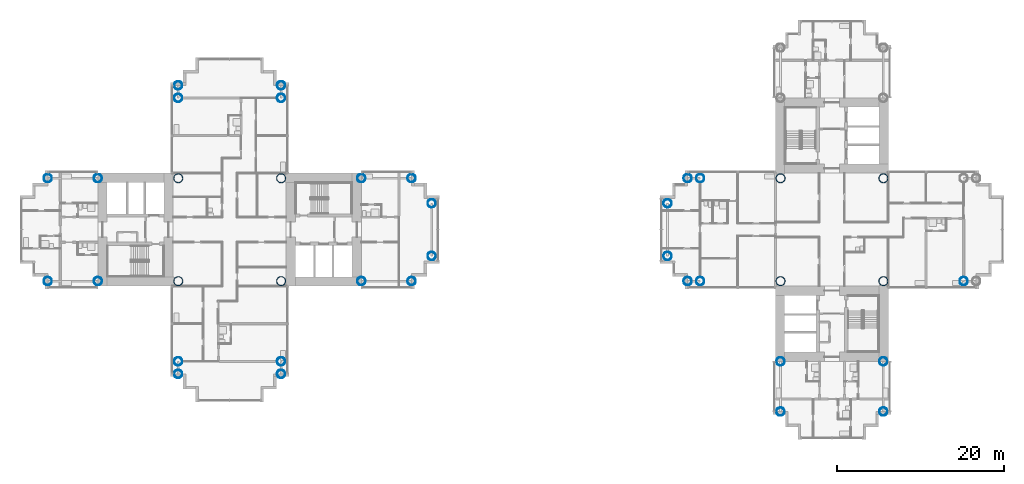
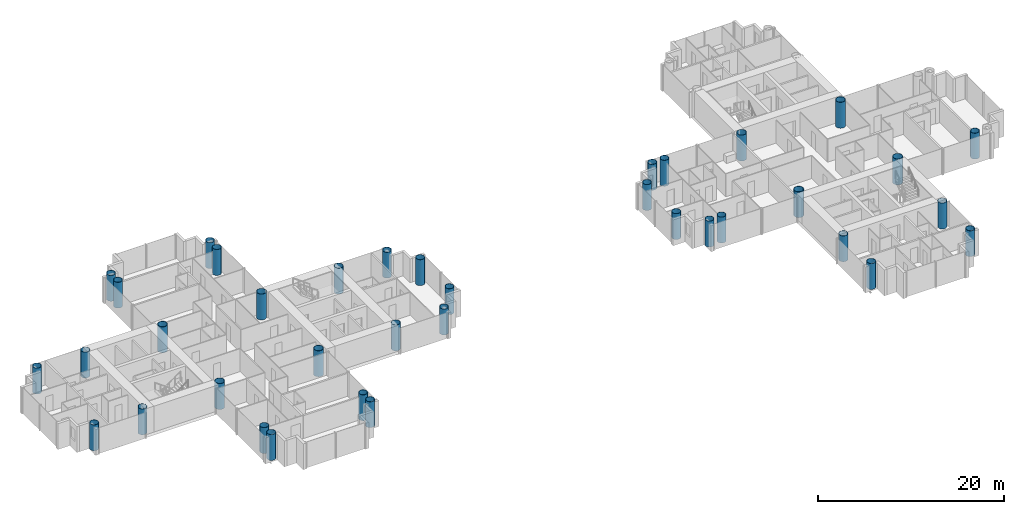
# One storey, part 1 of 22: 37 columns.
"""IFC4 building model written with IfcOpenShell, lengths in metres."""

from ifc_helpers import new_model, si_unit, direction, frame, origin, origin_2d, place, context, subcontext, project, spatial, hollow_circle, extrude, material, material_profile, profile_set, type_object, element, save


model = new_model("IFC4")

# Units and contexts
model_context = context("Model", 3, precision=1e-05, world=origin(), true_north=direction((0.0, 1.0)))
body_context = subcontext(model_context, "Body", "Model", "MODEL_VIEW")
ifc_project = project(units=[si_unit("LENGTHUNIT", "METRE"), si_unit("AREAUNIT", "SQUARE_METRE"), si_unit("VOLUMEUNIT", "CUBIC_METRE"), si_unit("PLANEANGLEUNIT", "RADIAN"), si_unit("MASSUNIT", "GRAM", prefix="KILO")], contexts=[model_context])

# Site, building, storey
site_placement = place(None, origin())
site = spatial("IfcSite", under=ifc_project, at=site_placement, CompositionType="ELEMENT")
building_placement = place(site_placement, origin())
building = spatial("IfcBuilding", under=site, at=building_placement, Name="Ipe Terrace Towers", CompositionType="ELEMENT")
storey_placement = place(building_placement, frame((0.0, 0.0, 55.10009765625)))
storey = spatial("IfcBuildingStorey", under=building, at=storey_placement, Name="L14", CompositionType="ELEMENT", Elevation=55.10009765625)

# Columns
ifc_material_1 = material(Name="Steel S355 tube with Concrete C60/75 fill", Category="concrete")
ifc_material_profile_1 = material_profile(ifc_material_1, hollow_circle(Radius=0.5, WallThickness=0.035888671875, at=origin_2d()), Name="CHS-1000x36")
ifc_profile_set_1 = profile_set([ifc_material_profile_1], Name="Steel S355 tube with Concrete C60/75 fill")
column_type_1 = type_object("IfcColumnType", Name="CH01 COLUMN CHS-1000x36", PredefinedType="COLUMN", material=ifc_profile_set_1)
for number, where, z_axis, x_axis, name in (
    (1, (-20.25, -6.14990234375, 0.0), (0.0, 0.0, 1.0), (1.0, 0.0, 0.0), "Column T1-C-A01"),
    (2, (-20.25, 6.14990234375, 0.0), (0.0, 0.0, 1.0), (1.0, 0.0, 0.0), "Column T1-C-A02"),
    (3, (-14.25, -6.14990234375, 0.0), (0.0, 0.0, 1.0), (1.0, 0.0, 0.0), "Column T1-C-A03"),
    (4, (-14.25, 6.14990234375, 0.0), (0.0, 0.0, 1.0), (1.0, 0.0, 0.0), "Column T1-C-A04"),
    (5, (-11.85009765625, -3.14990234375, 0.0), (0.0, 0.0, 1.0), (1.0, 0.0, 0.0), "Column T1-C-A05"),
    (6, (-11.85009765625, 3.14990234375, 0.0), (0.0, 0.0, 1.0), (1.0, 0.0, 0.0), "Column T1-C-A06"),
    (7, (-29.85009765625, 15.75, 0.0), (0.0, 0.0, 1.0), (1.0, 0.0, 0.0), "Column T1-C-B03"),
    (8, (-42.14990234375, 15.75, 0.0), (0.0, 0.0, 1.0), (1.0, 0.0, 0.0), "Column T1-C-B04"),
    (9, (-29.85009765625, 17.25, 0.0), (0.0, 0.0, 1.0), (1.0, 0.0, 0.0), "Column T1-C-B05"),
    (10, (-42.14990234375, 17.25, 0.0), (0.0, 0.0, 1.0), (1.0, 0.0, 0.0), "Column T1-C-B06"),
    (11, (-51.75, -6.14990234375, 0.0), (0.0, 0.0, 1.0), (1.0, 0.0, 0.0), "Column T1-C-C01"),
    (12, (-51.75, 6.14990234375, 0.0), (0.0, 0.0, 1.0), (1.0, 0.0, 0.0), "Column T1-C-C02"),
    (13, (-57.75, -6.14990234375, 0.0), (0.0, 0.0, 1.0), (1.0, 0.0, 0.0), "Column T1-C-C03"),
    (14, (-57.75, 6.14990234375, 0.0), (0.0, 0.0, 1.0), (1.0, 0.0, 0.0), "Column T1-C-C04"),
    (15, (-42.14990234375, -15.75, 0.0), (0.0, 0.0, 1.0), (1.0, 0.0, 0.0), "Column T1-C-D03"),
    (16, (-29.85009765625, -15.75, 0.0), (0.0, 0.0, 1.0), (1.0, 0.0, 0.0), "Column T1-C-D04"),
    (17, (-42.14990234375, -17.25, 0.0), (0.0, 0.0, 1.0), (1.0, 0.0, 0.0), "Column T1-C-D05"),
    (18, (-29.85009765625, -17.25, 0.0), (0.0, 0.0, 1.0), (1.0, 0.0, 0.0), "Column T1-C-D06"),
    (19, (20.25, 6.14990234375, 0.0), (0.0, 0.0, 1.0), (1.0, 0.0, 0.0), "Column T2-C-B03"),
    (20, (20.25, -6.14990234375, 0.0), (0.0, 0.0, 1.0), (1.0, 0.0, 0.0), "Column T2-C-B04"),
    (21, (18.75, 6.14990234375, 0.0), (0.0, 0.0, 1.0), (1.0, 0.0, 0.0), "Column T2-C-B05"),
    (22, (18.75, -6.14990234375, 0.0), (0.0, 0.0, 1.0), (1.0, 0.0, 0.0), "Column T2-C-B06"),
    (23, (16.35009765625, 3.14990234375, 0.0), (0.0, 0.0, 1.0), (1.0, 0.0, 0.0), "Column T2-C-B07"),
    (24, (16.35009765625, -3.14990234375, 0.0), (0.0, 0.0, 1.0), (1.0, 0.0, 0.0), "Column T2-C-B08"),
    (25, (42.14990234375, -15.75, 0.0), (0.0, 0.0, 1.0), (1.0, 0.0, 0.0), "Column T2-C-C01"),
    (26, (29.85009765625, -15.75, 0.0), (0.0, 0.0, 1.0), (1.0, 0.0, 0.0), "Column T2-C-C02"),
    (27, (42.14990234375, -21.75, 0.0), (0.0, 0.0, 1.0), (1.0, 0.0, 0.0), "Column T2-C-C03"),
    (28, (29.85009765625, -21.75, 0.0), (0.0, 0.0, 1.0), (1.0, 0.0, 0.0), "Column T2-C-C04"),
    (29, (51.75, -6.14990234375, 0.0), (0.0, 0.0, 1.0), (1.0, 0.0, 0.0), "Column T2-C-D03"),
):
    element("IfcColumn", number, at=place(storey_placement, frame(where, z_axis=z_axis, x_axis=x_axis)), inside=storey, type_object=column_type_1, Name=name, PredefinedType="COLUMN", context=body_context, shape_type="SweptSolid", body=[
        extrude(hollow_circle(Radius=0.5, WallThickness=0.035888671875, at=origin_2d()), origin(), (0.0, 0.0, 1.0), 3.39990234375),
    ])
ifc_material_2 = material(Name="Steel S355 tube with Concrete C60/75 fill", Category="concrete")
ifc_material_profile_2 = material_profile(ifc_material_2, hollow_circle(Radius=0.550048828125, WallThickness=0.0400390625, at=origin_2d()), Name="CHS-1100x40")
ifc_profile_set_2 = profile_set([ifc_material_profile_2], Name="Steel S355 tube with Concrete C60/75 fill")
column_type_2 = type_object("IfcColumnType", Name="CH02 COLUMN CHS-1100x40", PredefinedType="COLUMN", material=ifc_profile_set_2)
for number, where, z_axis, x_axis, name in (
    (30, (-42.14990234375, -6.14990234375, 0.0), (0.0, 0.0, 1.0), (1.0, 0.0, 0.0), "Column T1-C-E01"),
    (31, (-29.85009765625, -6.14990234375, 0.0), (0.0, 0.0, 1.0), (1.0, 0.0, 0.0), "Column T1-C-E02"),
    (32, (-29.85009765625, 6.14990234375, 0.0), (0.0, 0.0, 1.0), (1.0, 0.0, 0.0), "Column T1-C-E03"),
    (33, (-42.14990234375, 6.14990234375, 0.0), (0.0, 0.0, 1.0), (1.0, 0.0, 0.0), "Column T1-C-E04"),
    (34, (42.14990234375, -6.14990234375, 0.0), (0.0, 0.0, 1.0), (1.0, 0.0, 0.0), "Column T2-C-E01"),
    (35, (42.14990234375, 6.14990234375, 0.0), (0.0, 0.0, 1.0), (1.0, 0.0, 0.0), "Column T2-C-E02"),
    (36, (29.85009765625, 6.14990234375, 0.0), (0.0, 0.0, 1.0), (1.0, 0.0, 0.0), "Column T2-C-E03"),
    (37, (29.85009765625, -6.14990234375, 0.0), (0.0, 0.0, 1.0), (1.0, 0.0, 0.0), "Column T2-C-E04"),
):
    element("IfcColumn", number, at=place(storey_placement, frame(where, z_axis=z_axis, x_axis=x_axis)), inside=storey, type_object=column_type_2, Name=name, PredefinedType="COLUMN", context=body_context, shape_type="SweptSolid", body=[
        extrude(hollow_circle(Radius=0.550048828125, WallThickness=0.0400390625, at=origin_2d()), origin(), (0.0, 0.0, 1.0), 3.39990234375),
    ])

save(model, "model.ifc")
